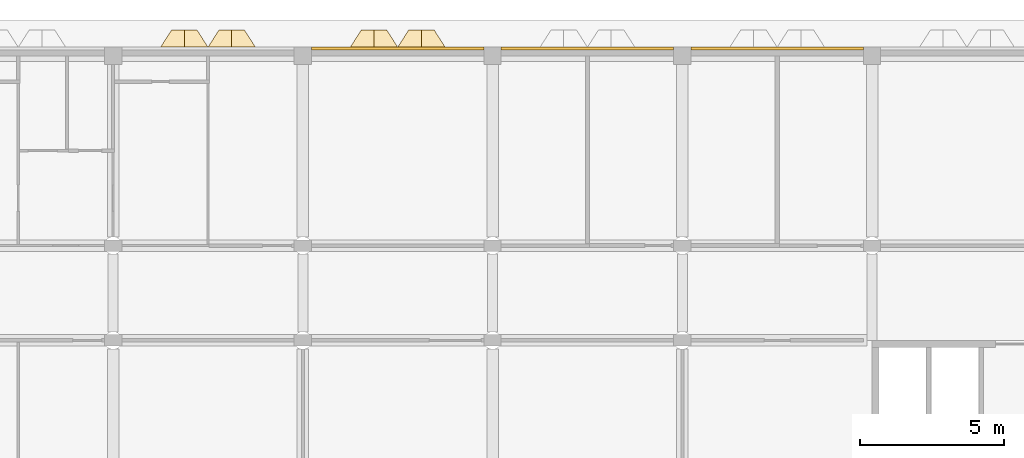
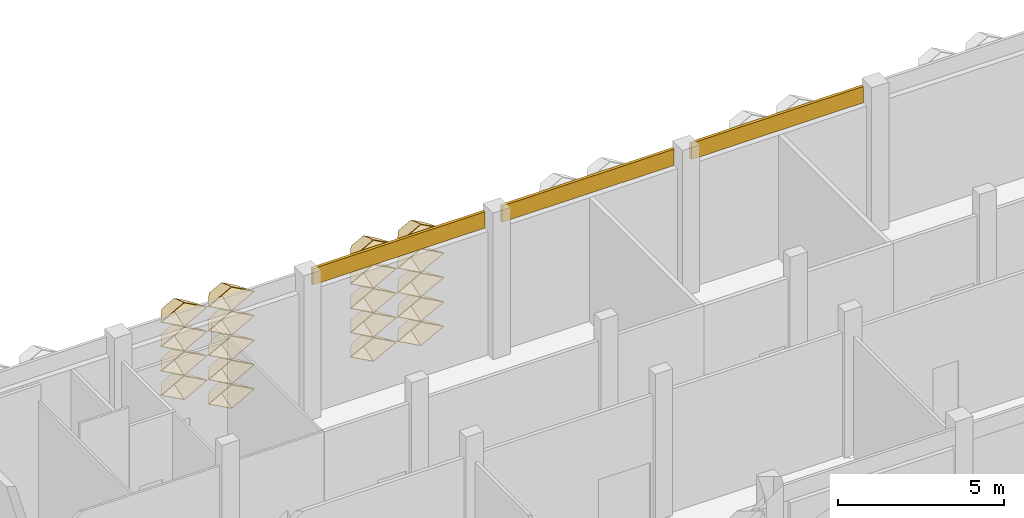
# One storey, part 76 of 85: 22 coverings.
"""IFC4 building model written with IfcOpenShell, lengths in metres."""

import ifcopenshell
import ifcopenshell.guid

model = None  # the IFC model being written
_history = None  # IfcOwnerHistory: only IFC2X3 demands one
_inside = {}  # id of a spatial element -> (the spatial element, [elements in it])
_under = {}  # id of a project, library or spatial element -> (it, [spatial elements below it])
_declared = {}  # id of a project -> (the project, [libraries it declares])
_typed = {}  # id of a type object -> (the type object, [elements of that type])
_made_of = {}  # id of a material, layer set ... -> (it, [elements and type objects made of it])


def new_model(schema):
    """Start an empty IFC model of exactly this schema.

    Asked for "IFC4X3", IfcOpenShell would pick the latest addendum, in which some entities
    have other attributes; the version numbers below select the first issue.
    IFC2X3 requires an IfcOwnerHistory on every rooted entity: one is made here for all.
    """
    global model, _history
    if schema == "IFC4X3":
        model = ifcopenshell.file(schema_version=(4, 3, 0, 0))
    else:
        model = ifcopenshell.file(schema=schema)
    _inside.clear()
    _under.clear()
    _declared.clear()
    _typed.clear()
    _made_of.clear()
    _history = None
    if model.schema == "IFC2X3":
        org = make("IfcOrganization", Name="unknown")
        user = make(
            "IfcPersonAndOrganization",
            ThePerson=make("IfcPerson", FamilyName="unknown"),
            TheOrganization=org,
        )
        app = make(
            "IfcApplication",
            ApplicationDeveloper=org,
            Version="unknown",
            ApplicationFullName="unknown",
            ApplicationIdentifier="unknown",
        )
        _history = make(
            "IfcOwnerHistory",
            OwningUser=user,
            OwningApplication=app,
            ChangeAction="ADDED",
            CreationDate=0,
        )
    return model


def make(cls, **values):
    """One entity of the class cls with the attributes given. An attribute that is None is left unset."""
    return model.create_entity(
        cls, **{name: value for name, value in values.items() if value is not None}
    )


def entity(cls, *values):
    """Any entity or typed value of the class cls, its attributes in the order of the schema. None: left unset."""
    e = model.create_entity(cls)
    for i, value in enumerate(values):
        if value is not None:
            e[i] = value
    return e


def rooted(cls, **values):
    """An entity with a GlobalId (a new one), such as an element, a storey or a relation."""
    return make(cls, GlobalId=ifcopenshell.guid.new(), OwnerHistory=_history, **values)


def si_unit(unit_type, name, prefix=None):
    """IfcSIUnit, for example si_unit("LENGTHUNIT", "METRE", prefix="MILLI")."""
    return make("IfcSIUnit", UnitType=unit_type, Prefix=prefix, Name=name)


def assignment(units):
    """IfcUnitAssignment: the units of a project."""
    return None if units is None else make("IfcUnitAssignment", Units=units)


def point(xyz):
    """IfcCartesianPoint."""
    return None if xyz is None else make("IfcCartesianPoint", Coordinates=xyz)


def direction(xyz):
    """IfcDirection."""
    return None if xyz is None else make("IfcDirection", DirectionRatios=xyz)


def frame(location, z_axis=None, x_axis=None):
    """IfcAxis2Placement3D, a coordinate frame: its origin and axes. An axis left out is left unset."""
    return make(
        "IfcAxis2Placement3D",
        Location=point(location),
        Axis=direction(z_axis),
        RefDirection=direction(x_axis),
    )


def frame_2d(location, x_axis=None):
    """IfcAxis2Placement2D, a coordinate frame in the plane: its origin and x axis."""
    return make(
        "IfcAxis2Placement2D", Location=point(location), RefDirection=direction(x_axis)
    )


def origin():
    """The frame at (0, 0, 0) with its axes left unset."""
    return frame((0.0, 0.0, 0.0))


def place(relative_to, where):
    """IfcLocalPlacement: puts the frame where relative to a parent placement (None: the world)."""
    return make(
        "IfcLocalPlacement", PlacementRelTo=relative_to, RelativePlacement=where
    )


def context(
    kind, dimensions, precision=None, world=None, true_north=None, identifier=None
):
    """IfcGeometricRepresentationContext, for example the 3D "Model" context."""
    return make(
        "IfcGeometricRepresentationContext",
        ContextIdentifier=identifier,
        ContextType=kind,
        CoordinateSpaceDimension=dimensions,
        Precision=precision,
        WorldCoordinateSystem=world,
        TrueNorth=true_north,
    )


def subcontext(parent, identifier, kind, view, scale=None):
    """IfcGeometricRepresentationSubContext, for example "Body" below "Model"."""
    return make(
        "IfcGeometricRepresentationSubContext",
        ContextIdentifier=identifier,
        ContextType=kind,
        ParentContext=parent,
        TargetScale=scale,
        TargetView=view,
    )


def project(units=None, contexts=None):
    """IfcProject with its units and contexts."""
    return rooted(
        "IfcProject",
        Name="project",
        RepresentationContexts=contexts,
        UnitsInContext=assignment(units),
    )


def spatial(cls, under=None, at=None, **own):
    """A site, building, storey or space (cls), placed at a placement, below another one or the project."""
    s = rooted(cls, ObjectPlacement=at, **own)
    if under is not None:
        _under.setdefault(under.id(), (under, []))[1].append(s)
    return s


def profile(cls, at=None, kind="AREA", **sizes):
    """A parametric profile (cls). Its sizes go by their IFC names, for example OverallWidth=200.0."""
    return make(cls, ProfileType=kind, Position=at, **sizes)


def rectangle(**sizes):
    """IfcRectangleProfileDef."""
    return profile("IfcRectangleProfileDef", **sizes)


def extrude(swept, where, along, depth):
    """IfcExtrudedAreaSolid: the profile swept, set in the frame where, extruded along a direction by depth."""
    return make(
        "IfcExtrudedAreaSolid",
        SweptArea=swept,
        Position=where,
        ExtrudedDirection=direction(along),
        Depth=depth,
    )


def shape(context_of_items, identifier, shape_type, items):
    """IfcShapeRepresentation: the items that make up one representation, for example the "Body"."""
    return make(
        "IfcShapeRepresentation",
        ContextOfItems=context_of_items,
        RepresentationIdentifier=identifier,
        RepresentationType=shape_type,
        Items=items,
    )


def material(Name=None, Category=None):
    """IfcMaterial."""
    return make("IfcMaterial", Name=Name, Category=Category)


def layer(
    of_material, thickness, ventilated=None, Name=None, Category=None, Priority=None
):
    """IfcMaterialLayer: one layer of a wall or slab, of a material (None: an air gap)."""
    return make(
        "IfcMaterialLayer",
        Material=of_material,
        LayerThickness=thickness,
        IsVentilated=ventilated,
        Name=Name,
        Category=Category,
        Priority=Priority,
    )


def layer_set(layers, Name=None):
    """IfcMaterialLayerSet."""
    return make("IfcMaterialLayerSet", MaterialLayers=layers, LayerSetName=Name)


def made_of(thing, what):
    """Note that an element or type object is made of a material, layer set ...; save() writes the relation."""
    if what is not None:
        _made_of.setdefault(what.id(), (what, []))[1].append(thing)
    return thing


def type_object(cls, material=None, **own):
    """A type object (cls), such as IfcWallType, which elements share."""
    return made_of(rooted(cls, **own), material)


def element(
    cls,
    number,
    at=None,
    inside=None,
    cuts=None,
    type_object=None,
    material=None,
    context=None,
    identifier="Body",
    shape_type=None,
    held_by="IfcProductDefinitionShape",
    body=None,
    shapes=None,
    **own,
):
    """One element of the class cls, such as IfcWall. Its Tag is "e" and its number.

    at: its placement. inside: the storey or other place that contains it. cuts: it is an
    opening in that element (IfcRelVoidsElement). A single representation is given by context,
    identifier, shape_type and body (its items); several are given by shapes. held_by: the class
    of the entity that holds the representations. save() writes the other relations.
    """
    e = rooted(cls, Tag="e%d" % number, ObjectPlacement=at, **own)
    if body is not None:
        shapes = [shape(context, identifier, shape_type, body)]
    if shapes is not None:
        e.Representation = make(held_by, Representations=shapes)
    if inside is not None:
        _inside.setdefault(inside.id(), (inside, []))[1].append(e)
    if cuts is not None:
        rooted(
            "IfcRelVoidsElement", RelatingBuildingElement=cuts, RelatedOpeningElement=e
        )
    if type_object is not None:
        _typed.setdefault(type_object.id(), (type_object, []))[1].append(e)
    return made_of(e, material)


def aggregate(whole, parts):
    """IfcRelAggregates: a whole, such as a stair, and the parts it consists of."""
    return rooted("IfcRelAggregates", RelatingObject=whole, RelatedObjects=parts)


def save(model, path):
    """Write the relations noted so far, then the file.

    IfcRelAggregates (storeys below a building ...), IfcRelContainedInSpatialStructure (elements
    in a storey), IfcRelDefinesByType, IfcRelAssociatesMaterial and IfcRelDeclares: one each for
    every whole, place, type object, material and project.
    """
    for whole, parts in _under.values():
        aggregate(whole, parts)
    for where, things in _inside.values():
        rooted(
            "IfcRelContainedInSpatialStructure",
            RelatedElements=things,
            RelatingStructure=where,
        )
    for kind, things in _typed.values():
        rooted("IfcRelDefinesByType", RelatedObjects=things, RelatingType=kind)
    for what, things in _made_of.values():
        rooted("IfcRelAssociatesMaterial", RelatedObjects=things, RelatingMaterial=what)
    for by, libraries in _declared.values():
        rooted("IfcRelDeclares", RelatingContext=by, RelatedDefinitions=libraries)
    model.write(path)


model = new_model("IFC4")

# Units and contexts
model_context = context("Model", 3, precision=1e-05, world=origin(), true_north=direction((0.0, 1.0)))
body_context = subcontext(model_context, "Body", "Model", "MODEL_VIEW")
ifc_project = project(units=[si_unit("LENGTHUNIT", "METRE"), si_unit("AREAUNIT", "SQUARE_METRE"), si_unit("VOLUMEUNIT", "CUBIC_METRE"), si_unit("PLANEANGLEUNIT", "RADIAN"), si_unit("MASSUNIT", "GRAM", prefix="KILO")], contexts=[model_context])

# Site, building, storey
site_placement = place(None, origin())
site = spatial("IfcSite", under=ifc_project, at=site_placement, CompositionType="ELEMENT")
building_placement = place(site_placement, origin())
building = spatial("IfcBuilding", under=site, at=building_placement, Name="Lantern Court Research Institute", CompositionType="ELEMENT")
storey_placement = place(building_placement, origin())
storey = spatial("IfcBuildingStorey", under=building, at=storey_placement, Name="L00", CompositionType="ELEMENT", Elevation=0.0)

# Coverings
ifc_material_1 = material(Name="Aluminium composite panel with mineral wool insulation", Category="aluminium")
ifc_layer_1 = layer(ifc_material_1, 0.10009765625)
ifc_layer_set_1 = layer_set([ifc_layer_1], Name="Aluminium composite panel with mineral wool insulation")
covering_type_1 = type_object("IfcCoveringType", Name="Edge fascia panel 100 aluminium faced", PredefinedType="CLADDING", material=ifc_layer_set_1)
for number, where, z_axis, x_axis, name in (
    (1, (20.10009765625, 99.25, 4.550048828125), (0.0, 0.0, 1.0), (1.0, 0.0, 0.0), "Edge fascia V6N L00 03"),
    (2, (26.699951171875, 99.25, 4.550048828125), (0.0, 0.0, 1.0), (1.0, 0.0, 0.0), "Edge fascia V6N L00 04"),
    (3, (33.300048828125, 99.25, 4.550048828125), (0.0, 0.0, 1.0), (1.0, 0.0, 0.0), "Edge fascia V6N L00 05"),
):
    element("IfcCovering", number, at=place(storey_placement, frame(where, z_axis=z_axis, x_axis=x_axis)), inside=storey, type_object=covering_type_1, Name=name, PredefinedType="CLADDING", context=body_context, shape_type="SweptSolid", body=[
        extrude(rectangle(XDim=6.0, YDim=0.10009765625, at=frame_2d((3.0, 0.0))), origin(), (0.0, 0.0, 1.0), 0.599853515625),
    ])
ifc_material_2 = material(Name="Anodised aluminium", Category="aluminium")
ifc_layer_2 = layer(ifc_material_2, 0.01611328125)
ifc_layer_set_2 = layer_set([ifc_layer_2], Name="Anodised aluminium")
covering_type_2 = type_object("IfcCoveringType", Name="Fin cassette 1650 x 900 x 600 aluminium", PredefinedType="CLADDING", material=ifc_layer_set_2)
covering_1_placement = place(storey_placement, frame((17.324951171875, 99.300048828125, 1.35009765625), z_axis=(0.0, 1.0, 0.0), x_axis=(-1.0, 0.0, 0.0)))
cartesian_point_1 = entity("IfcCartesianPoint", [0.824951171875, 0.0])
cartesian_point_2 = entity("IfcCartesianPoint", [0.79150390625, 0.0])
cartesian_point_3 = entity("IfcCartesianPoint", [0.44189453125, 0.0])
cartesian_point_4 = entity("IfcCartesianPoint", [0.43359375, 0.0])
element("IfcCovering", 4, at=covering_1_placement, inside=storey, type_object=covering_type_2, Name="Fin cassette V6N-L00 2.11", PredefinedType="CLADDING", context=body_context, shape_type="SweptSolid", body=[
    entity("IfcExtrudedAreaSolidTapered", entity("IfcArbitraryProfileDefWithVoids", "AREA", None, entity("IfcPolyline", [cartesian_point_1, entity("IfcCartesianPoint", [0.0, 0.449951171875]), entity("IfcCartesianPoint", [-0.824951171875, 0.0]), entity("IfcCartesianPoint", [0.0, -0.449951171875]), cartesian_point_1]), [entity("IfcPolyline", [cartesian_point_2, entity("IfcCartesianPoint", [0.0, 0.431884765625]), entity("IfcCartesianPoint", [-0.79150390625, 0.0]), entity("IfcCartesianPoint", [0.0, -0.431884765625]), cartesian_point_2])]), entity("IfcAxis2Placement3D", entity("IfcCartesianPoint", [0.0, 0.0, 0.0])), entity("IfcDirection", [0.0, 0.0, 1.0]), 0.60009765625, entity("IfcArbitraryProfileDefWithVoids", "AREA", None, entity("IfcPolyline", [cartesian_point_3, entity("IfcCartesianPoint", [0.0, 0.240966796875]), entity("IfcCartesianPoint", [-0.44189453125, 0.0]), entity("IfcCartesianPoint", [0.0, -0.240966796875]), cartesian_point_3]), [entity("IfcPolyline", [cartesian_point_4, entity("IfcCartesianPoint", [0.0, 0.236572265625]), entity("IfcCartesianPoint", [-0.43359375, 0.0]), entity("IfcCartesianPoint", [0.0, -0.236572265625]), cartesian_point_4])])),
])
covering_2_placement = place(storey_placement, frame((22.27490234375, 99.300048828125, 1.35009765625), z_axis=(0.0, 1.0, 0.0), x_axis=(-1.0, 0.0, 0.0)))
cartesian_point_5 = entity("IfcCartesianPoint", [0.824951171875, 0.0])
cartesian_point_6 = entity("IfcCartesianPoint", [0.79150390625, 0.0])
cartesian_point_7 = entity("IfcCartesianPoint", [0.44189453125, 0.0])
cartesian_point_8 = entity("IfcCartesianPoint", [0.43359375, 0.0])
element("IfcCovering", 5, at=covering_2_placement, inside=storey, type_object=covering_type_2, Name="Fin cassette V6N-L00 2.14", PredefinedType="CLADDING", context=body_context, shape_type="SweptSolid", body=[
    entity("IfcExtrudedAreaSolidTapered", entity("IfcArbitraryProfileDefWithVoids", "AREA", None, entity("IfcPolyline", [cartesian_point_5, entity("IfcCartesianPoint", [0.0, 0.449951171875]), entity("IfcCartesianPoint", [-0.824951171875, 0.0]), entity("IfcCartesianPoint", [0.0, -0.449951171875]), cartesian_point_5]), [entity("IfcPolyline", [cartesian_point_6, entity("IfcCartesianPoint", [0.0, 0.431884765625]), entity("IfcCartesianPoint", [-0.79150390625, 0.0]), entity("IfcCartesianPoint", [0.0, -0.431884765625]), cartesian_point_6])]), entity("IfcAxis2Placement3D", entity("IfcCartesianPoint", [0.0, 0.0, 0.0])), entity("IfcDirection", [0.0, 0.0, 1.0]), 0.60009765625, entity("IfcArbitraryProfileDefWithVoids", "AREA", None, entity("IfcPolyline", [cartesian_point_7, entity("IfcCartesianPoint", [0.0, 0.240966796875]), entity("IfcCartesianPoint", [-0.44189453125, 0.0]), entity("IfcCartesianPoint", [0.0, -0.240966796875]), cartesian_point_7]), [entity("IfcPolyline", [cartesian_point_8, entity("IfcCartesianPoint", [0.0, 0.236572265625]), entity("IfcCartesianPoint", [-0.43359375, 0.0]), entity("IfcCartesianPoint", [0.0, -0.236572265625]), cartesian_point_8])])),
])
covering_3_placement = place(storey_placement, frame((23.925048828125, 99.300048828125, 1.35009765625), z_axis=(0.0, 1.0, 0.0), x_axis=(-1.0, 0.0, 0.0)))
cartesian_point_9 = entity("IfcCartesianPoint", [0.824951171875, 0.0])
cartesian_point_10 = entity("IfcCartesianPoint", [0.79150390625, 0.0])
cartesian_point_11 = entity("IfcCartesianPoint", [0.44189453125, 0.0])
cartesian_point_12 = entity("IfcCartesianPoint", [0.43359375, 0.0])
element("IfcCovering", 6, at=covering_3_placement, inside=storey, type_object=covering_type_2, Name="Fin cassette V6N-L00 2.15", PredefinedType="CLADDING", context=body_context, shape_type="SweptSolid", body=[
    entity("IfcExtrudedAreaSolidTapered", entity("IfcArbitraryProfileDefWithVoids", "AREA", None, entity("IfcPolyline", [cartesian_point_9, entity("IfcCartesianPoint", [0.0, 0.449951171875]), entity("IfcCartesianPoint", [-0.824951171875, 0.0]), entity("IfcCartesianPoint", [0.0, -0.449951171875]), cartesian_point_9]), [entity("IfcPolyline", [cartesian_point_10, entity("IfcCartesianPoint", [0.0, 0.431884765625]), entity("IfcCartesianPoint", [-0.79150390625, 0.0]), entity("IfcCartesianPoint", [0.0, -0.431884765625]), cartesian_point_10])]), entity("IfcAxis2Placement3D", entity("IfcCartesianPoint", [0.0, 0.0, 0.0])), entity("IfcDirection", [0.0, 0.0, 1.0]), 0.60009765625, entity("IfcArbitraryProfileDefWithVoids", "AREA", None, entity("IfcPolyline", [cartesian_point_11, entity("IfcCartesianPoint", [0.0, 0.240966796875]), entity("IfcCartesianPoint", [-0.44189453125, 0.0]), entity("IfcCartesianPoint", [0.0, -0.240966796875]), cartesian_point_11]), [entity("IfcPolyline", [cartesian_point_12, entity("IfcCartesianPoint", [0.0, 0.236572265625]), entity("IfcCartesianPoint", [-0.43359375, 0.0]), entity("IfcCartesianPoint", [0.0, -0.236572265625]), cartesian_point_12])])),
])
covering_4_placement = place(storey_placement, frame((15.675048828125, 99.300048828125, 2.25), z_axis=(0.0, 1.0, 0.0), x_axis=(-1.0, 0.0, 0.0)))
cartesian_point_13 = entity("IfcCartesianPoint", [0.824951171875, 0.0])
cartesian_point_14 = entity("IfcCartesianPoint", [0.79150390625, 0.0])
cartesian_point_15 = entity("IfcCartesianPoint", [0.44189453125, 0.0])
cartesian_point_16 = entity("IfcCartesianPoint", [0.43359375, 0.0])
element("IfcCovering", 7, at=covering_4_placement, inside=storey, type_object=covering_type_2, Name="Fin cassette V6N-L00 3.10", PredefinedType="CLADDING", context=body_context, shape_type="SweptSolid", body=[
    entity("IfcExtrudedAreaSolidTapered", entity("IfcArbitraryProfileDefWithVoids", "AREA", None, entity("IfcPolyline", [cartesian_point_13, entity("IfcCartesianPoint", [0.0, 0.449951171875]), entity("IfcCartesianPoint", [-0.824951171875, 0.0]), entity("IfcCartesianPoint", [0.0, -0.449951171875]), cartesian_point_13]), [entity("IfcPolyline", [cartesian_point_14, entity("IfcCartesianPoint", [0.0, 0.431884765625]), entity("IfcCartesianPoint", [-0.79150390625, 0.0]), entity("IfcCartesianPoint", [0.0, -0.431884765625]), cartesian_point_14])]), entity("IfcAxis2Placement3D", entity("IfcCartesianPoint", [0.0, 0.0, 0.0])), entity("IfcDirection", [0.0, 0.0, 1.0]), 0.60009765625, entity("IfcArbitraryProfileDefWithVoids", "AREA", None, entity("IfcPolyline", [cartesian_point_15, entity("IfcCartesianPoint", [0.0, 0.240966796875]), entity("IfcCartesianPoint", [-0.44189453125, 0.0]), entity("IfcCartesianPoint", [0.0, -0.240966796875]), cartesian_point_15]), [entity("IfcPolyline", [cartesian_point_16, entity("IfcCartesianPoint", [0.0, 0.236572265625]), entity("IfcCartesianPoint", [-0.43359375, 0.0]), entity("IfcCartesianPoint", [0.0, -0.236572265625]), cartesian_point_16])])),
])
covering_5_placement = place(storey_placement, frame((17.324951171875, 99.300048828125, 2.25), z_axis=(0.0, 1.0, 0.0), x_axis=(-1.0, 0.0, 0.0)))
cartesian_point_17 = entity("IfcCartesianPoint", [0.824951171875, 0.0])
cartesian_point_18 = entity("IfcCartesianPoint", [0.79150390625, 0.0])
cartesian_point_19 = entity("IfcCartesianPoint", [0.44189453125, 0.0])
cartesian_point_20 = entity("IfcCartesianPoint", [0.43359375, 0.0])
element("IfcCovering", 8, at=covering_5_placement, inside=storey, type_object=covering_type_2, Name="Fin cassette V6N-L00 3.11", PredefinedType="CLADDING", context=body_context, shape_type="SweptSolid", body=[
    entity("IfcExtrudedAreaSolidTapered", entity("IfcArbitraryProfileDefWithVoids", "AREA", None, entity("IfcPolyline", [cartesian_point_17, entity("IfcCartesianPoint", [0.0, 0.449951171875]), entity("IfcCartesianPoint", [-0.824951171875, 0.0]), entity("IfcCartesianPoint", [0.0, -0.449951171875]), cartesian_point_17]), [entity("IfcPolyline", [cartesian_point_18, entity("IfcCartesianPoint", [0.0, 0.431884765625]), entity("IfcCartesianPoint", [-0.79150390625, 0.0]), entity("IfcCartesianPoint", [0.0, -0.431884765625]), cartesian_point_18])]), entity("IfcAxis2Placement3D", entity("IfcCartesianPoint", [0.0, 0.0, 0.0])), entity("IfcDirection", [0.0, 0.0, 1.0]), 0.60009765625, entity("IfcArbitraryProfileDefWithVoids", "AREA", None, entity("IfcPolyline", [cartesian_point_19, entity("IfcCartesianPoint", [0.0, 0.240966796875]), entity("IfcCartesianPoint", [-0.44189453125, 0.0]), entity("IfcCartesianPoint", [0.0, -0.240966796875]), cartesian_point_19]), [entity("IfcPolyline", [cartesian_point_20, entity("IfcCartesianPoint", [0.0, 0.236572265625]), entity("IfcCartesianPoint", [-0.43359375, 0.0]), entity("IfcCartesianPoint", [0.0, -0.236572265625]), cartesian_point_20])])),
])
covering_6_placement = place(storey_placement, frame((22.27490234375, 99.300048828125, 2.25), z_axis=(0.0, 1.0, 0.0), x_axis=(-1.0, 0.0, 0.0)))
cartesian_point_21 = entity("IfcCartesianPoint", [0.824951171875, 0.0])
cartesian_point_22 = entity("IfcCartesianPoint", [0.79150390625, 0.0])
cartesian_point_23 = entity("IfcCartesianPoint", [0.44189453125, 0.0])
cartesian_point_24 = entity("IfcCartesianPoint", [0.43359375, 0.0])
element("IfcCovering", 9, at=covering_6_placement, inside=storey, type_object=covering_type_2, Name="Fin cassette V6N-L00 3.14", PredefinedType="CLADDING", context=body_context, shape_type="SweptSolid", body=[
    entity("IfcExtrudedAreaSolidTapered", entity("IfcArbitraryProfileDefWithVoids", "AREA", None, entity("IfcPolyline", [cartesian_point_21, entity("IfcCartesianPoint", [0.0, 0.449951171875]), entity("IfcCartesianPoint", [-0.824951171875, 0.0]), entity("IfcCartesianPoint", [0.0, -0.449951171875]), cartesian_point_21]), [entity("IfcPolyline", [cartesian_point_22, entity("IfcCartesianPoint", [0.0, 0.431884765625]), entity("IfcCartesianPoint", [-0.79150390625, 0.0]), entity("IfcCartesianPoint", [0.0, -0.431884765625]), cartesian_point_22])]), entity("IfcAxis2Placement3D", entity("IfcCartesianPoint", [0.0, 0.0, 0.0])), entity("IfcDirection", [0.0, 0.0, 1.0]), 0.60009765625, entity("IfcArbitraryProfileDefWithVoids", "AREA", None, entity("IfcPolyline", [cartesian_point_23, entity("IfcCartesianPoint", [0.0, 0.240966796875]), entity("IfcCartesianPoint", [-0.44189453125, 0.0]), entity("IfcCartesianPoint", [0.0, -0.240966796875]), cartesian_point_23]), [entity("IfcPolyline", [cartesian_point_24, entity("IfcCartesianPoint", [0.0, 0.236572265625]), entity("IfcCartesianPoint", [-0.43359375, 0.0]), entity("IfcCartesianPoint", [0.0, -0.236572265625]), cartesian_point_24])])),
])
covering_7_placement = place(storey_placement, frame((23.925048828125, 99.300048828125, 2.25), z_axis=(0.0, 1.0, 0.0), x_axis=(-1.0, 0.0, 0.0)))
cartesian_point_25 = entity("IfcCartesianPoint", [0.824951171875, 0.0])
cartesian_point_26 = entity("IfcCartesianPoint", [0.79150390625, 0.0])
cartesian_point_27 = entity("IfcCartesianPoint", [0.44189453125, 0.0])
cartesian_point_28 = entity("IfcCartesianPoint", [0.43359375, 0.0])
element("IfcCovering", 10, at=covering_7_placement, inside=storey, type_object=covering_type_2, Name="Fin cassette V6N-L00 3.15", PredefinedType="CLADDING", context=body_context, shape_type="SweptSolid", body=[
    entity("IfcExtrudedAreaSolidTapered", entity("IfcArbitraryProfileDefWithVoids", "AREA", None, entity("IfcPolyline", [cartesian_point_25, entity("IfcCartesianPoint", [0.0, 0.449951171875]), entity("IfcCartesianPoint", [-0.824951171875, 0.0]), entity("IfcCartesianPoint", [0.0, -0.449951171875]), cartesian_point_25]), [entity("IfcPolyline", [cartesian_point_26, entity("IfcCartesianPoint", [0.0, 0.431884765625]), entity("IfcCartesianPoint", [-0.79150390625, 0.0]), entity("IfcCartesianPoint", [0.0, -0.431884765625]), cartesian_point_26])]), entity("IfcAxis2Placement3D", entity("IfcCartesianPoint", [0.0, 0.0, 0.0])), entity("IfcDirection", [0.0, 0.0, 1.0]), 0.60009765625, entity("IfcArbitraryProfileDefWithVoids", "AREA", None, entity("IfcPolyline", [cartesian_point_27, entity("IfcCartesianPoint", [0.0, 0.240966796875]), entity("IfcCartesianPoint", [-0.44189453125, 0.0]), entity("IfcCartesianPoint", [0.0, -0.240966796875]), cartesian_point_27]), [entity("IfcPolyline", [cartesian_point_28, entity("IfcCartesianPoint", [0.0, 0.236572265625]), entity("IfcCartesianPoint", [-0.43359375, 0.0]), entity("IfcCartesianPoint", [0.0, -0.236572265625]), cartesian_point_28])])),
])
covering_8_placement = place(storey_placement, frame((15.675048828125, 99.300048828125, 3.14990234375), z_axis=(0.0, 1.0, 0.0), x_axis=(-1.0, 0.0, 0.0)))
cartesian_point_29 = entity("IfcCartesianPoint", [0.824951171875, 0.0])
cartesian_point_30 = entity("IfcCartesianPoint", [0.79150390625, 0.0])
cartesian_point_31 = entity("IfcCartesianPoint", [0.44189453125, 0.0])
cartesian_point_32 = entity("IfcCartesianPoint", [0.43359375, 0.0])
element("IfcCovering", 11, at=covering_8_placement, inside=storey, type_object=covering_type_2, Name="Fin cassette V6N-L00 4.10", PredefinedType="CLADDING", context=body_context, shape_type="SweptSolid", body=[
    entity("IfcExtrudedAreaSolidTapered", entity("IfcArbitraryProfileDefWithVoids", "AREA", None, entity("IfcPolyline", [cartesian_point_29, entity("IfcCartesianPoint", [0.0, 0.449951171875]), entity("IfcCartesianPoint", [-0.824951171875, 0.0]), entity("IfcCartesianPoint", [0.0, -0.449951171875]), cartesian_point_29]), [entity("IfcPolyline", [cartesian_point_30, entity("IfcCartesianPoint", [0.0, 0.431884765625]), entity("IfcCartesianPoint", [-0.79150390625, 0.0]), entity("IfcCartesianPoint", [0.0, -0.431884765625]), cartesian_point_30])]), entity("IfcAxis2Placement3D", entity("IfcCartesianPoint", [0.0, 0.0, 0.0])), entity("IfcDirection", [0.0, 0.0, 1.0]), 0.60009765625, entity("IfcArbitraryProfileDefWithVoids", "AREA", None, entity("IfcPolyline", [cartesian_point_31, entity("IfcCartesianPoint", [0.0, 0.240966796875]), entity("IfcCartesianPoint", [-0.44189453125, 0.0]), entity("IfcCartesianPoint", [0.0, -0.240966796875]), cartesian_point_31]), [entity("IfcPolyline", [cartesian_point_32, entity("IfcCartesianPoint", [0.0, 0.236572265625]), entity("IfcCartesianPoint", [-0.43359375, 0.0]), entity("IfcCartesianPoint", [0.0, -0.236572265625]), cartesian_point_32])])),
])
covering_9_placement = place(storey_placement, frame((17.324951171875, 99.300048828125, 3.14990234375), z_axis=(0.0, 1.0, 0.0), x_axis=(-1.0, 0.0, 0.0)))
cartesian_point_33 = entity("IfcCartesianPoint", [0.824951171875, 0.0])
cartesian_point_34 = entity("IfcCartesianPoint", [0.79150390625, 0.0])
cartesian_point_35 = entity("IfcCartesianPoint", [0.44189453125, 0.0])
cartesian_point_36 = entity("IfcCartesianPoint", [0.43359375, 0.0])
element("IfcCovering", 12, at=covering_9_placement, inside=storey, type_object=covering_type_2, Name="Fin cassette V6N-L00 4.11", PredefinedType="CLADDING", context=body_context, shape_type="SweptSolid", body=[
    entity("IfcExtrudedAreaSolidTapered", entity("IfcArbitraryProfileDefWithVoids", "AREA", None, entity("IfcPolyline", [cartesian_point_33, entity("IfcCartesianPoint", [0.0, 0.449951171875]), entity("IfcCartesianPoint", [-0.824951171875, 0.0]), entity("IfcCartesianPoint", [0.0, -0.449951171875]), cartesian_point_33]), [entity("IfcPolyline", [cartesian_point_34, entity("IfcCartesianPoint", [0.0, 0.431884765625]), entity("IfcCartesianPoint", [-0.79150390625, 0.0]), entity("IfcCartesianPoint", [0.0, -0.431884765625]), cartesian_point_34])]), entity("IfcAxis2Placement3D", entity("IfcCartesianPoint", [0.0, 0.0, 0.0])), entity("IfcDirection", [0.0, 0.0, 1.0]), 0.60009765625, entity("IfcArbitraryProfileDefWithVoids", "AREA", None, entity("IfcPolyline", [cartesian_point_35, entity("IfcCartesianPoint", [0.0, 0.240966796875]), entity("IfcCartesianPoint", [-0.44189453125, 0.0]), entity("IfcCartesianPoint", [0.0, -0.240966796875]), cartesian_point_35]), [entity("IfcPolyline", [cartesian_point_36, entity("IfcCartesianPoint", [0.0, 0.236572265625]), entity("IfcCartesianPoint", [-0.43359375, 0.0]), entity("IfcCartesianPoint", [0.0, -0.236572265625]), cartesian_point_36])])),
])
covering_10_placement = place(storey_placement, frame((22.27490234375, 99.300048828125, 3.14990234375), z_axis=(0.0, 1.0, 0.0), x_axis=(-1.0, 0.0, 0.0)))
cartesian_point_37 = entity("IfcCartesianPoint", [0.824951171875, 0.0])
cartesian_point_38 = entity("IfcCartesianPoint", [0.79150390625, 0.0])
cartesian_point_39 = entity("IfcCartesianPoint", [0.44189453125, 0.0])
cartesian_point_40 = entity("IfcCartesianPoint", [0.43359375, 0.0])
element("IfcCovering", 13, at=covering_10_placement, inside=storey, type_object=covering_type_2, Name="Fin cassette V6N-L00 4.14", PredefinedType="CLADDING", context=body_context, shape_type="SweptSolid", body=[
    entity("IfcExtrudedAreaSolidTapered", entity("IfcArbitraryProfileDefWithVoids", "AREA", None, entity("IfcPolyline", [cartesian_point_37, entity("IfcCartesianPoint", [0.0, 0.449951171875]), entity("IfcCartesianPoint", [-0.824951171875, 0.0]), entity("IfcCartesianPoint", [0.0, -0.449951171875]), cartesian_point_37]), [entity("IfcPolyline", [cartesian_point_38, entity("IfcCartesianPoint", [0.0, 0.431884765625]), entity("IfcCartesianPoint", [-0.79150390625, 0.0]), entity("IfcCartesianPoint", [0.0, -0.431884765625]), cartesian_point_38])]), entity("IfcAxis2Placement3D", entity("IfcCartesianPoint", [0.0, 0.0, 0.0])), entity("IfcDirection", [0.0, 0.0, 1.0]), 0.60009765625, entity("IfcArbitraryProfileDefWithVoids", "AREA", None, entity("IfcPolyline", [cartesian_point_39, entity("IfcCartesianPoint", [0.0, 0.240966796875]), entity("IfcCartesianPoint", [-0.44189453125, 0.0]), entity("IfcCartesianPoint", [0.0, -0.240966796875]), cartesian_point_39]), [entity("IfcPolyline", [cartesian_point_40, entity("IfcCartesianPoint", [0.0, 0.236572265625]), entity("IfcCartesianPoint", [-0.43359375, 0.0]), entity("IfcCartesianPoint", [0.0, -0.236572265625]), cartesian_point_40])])),
])
covering_11_placement = place(storey_placement, frame((23.925048828125, 99.300048828125, 3.14990234375), z_axis=(0.0, 1.0, 0.0), x_axis=(-1.0, 0.0, 0.0)))
cartesian_point_41 = entity("IfcCartesianPoint", [0.824951171875, 0.0])
cartesian_point_42 = entity("IfcCartesianPoint", [0.79150390625, 0.0])
cartesian_point_43 = entity("IfcCartesianPoint", [0.44189453125, 0.0])
cartesian_point_44 = entity("IfcCartesianPoint", [0.43359375, 0.0])
element("IfcCovering", 14, at=covering_11_placement, inside=storey, type_object=covering_type_2, Name="Fin cassette V6N-L00 4.15", PredefinedType="CLADDING", context=body_context, shape_type="SweptSolid", body=[
    entity("IfcExtrudedAreaSolidTapered", entity("IfcArbitraryProfileDefWithVoids", "AREA", None, entity("IfcPolyline", [cartesian_point_41, entity("IfcCartesianPoint", [0.0, 0.449951171875]), entity("IfcCartesianPoint", [-0.824951171875, 0.0]), entity("IfcCartesianPoint", [0.0, -0.449951171875]), cartesian_point_41]), [entity("IfcPolyline", [cartesian_point_42, entity("IfcCartesianPoint", [0.0, 0.431884765625]), entity("IfcCartesianPoint", [-0.79150390625, 0.0]), entity("IfcCartesianPoint", [0.0, -0.431884765625]), cartesian_point_42])]), entity("IfcAxis2Placement3D", entity("IfcCartesianPoint", [0.0, 0.0, 0.0])), entity("IfcDirection", [0.0, 0.0, 1.0]), 0.60009765625, entity("IfcArbitraryProfileDefWithVoids", "AREA", None, entity("IfcPolyline", [cartesian_point_43, entity("IfcCartesianPoint", [0.0, 0.240966796875]), entity("IfcCartesianPoint", [-0.44189453125, 0.0]), entity("IfcCartesianPoint", [0.0, -0.240966796875]), cartesian_point_43]), [entity("IfcPolyline", [cartesian_point_44, entity("IfcCartesianPoint", [0.0, 0.236572265625]), entity("IfcCartesianPoint", [-0.43359375, 0.0]), entity("IfcCartesianPoint", [0.0, -0.236572265625]), cartesian_point_44])])),
])
covering_12_placement = place(storey_placement, frame((15.675048828125, 99.300048828125, 4.050048828125), z_axis=(0.0, 1.0, 0.0), x_axis=(-1.0, 0.0, 0.0)))
cartesian_point_45 = entity("IfcCartesianPoint", [0.824951171875, 0.0])
cartesian_point_46 = entity("IfcCartesianPoint", [0.79150390625, 0.0])
cartesian_point_47 = entity("IfcCartesianPoint", [0.44189453125, 0.0])
cartesian_point_48 = entity("IfcCartesianPoint", [0.43359375, 0.0])
element("IfcCovering", 15, at=covering_12_placement, inside=storey, type_object=covering_type_2, Name="Fin cassette V6N-L00 5.10", PredefinedType="CLADDING", context=body_context, shape_type="SweptSolid", body=[
    entity("IfcExtrudedAreaSolidTapered", entity("IfcArbitraryProfileDefWithVoids", "AREA", None, entity("IfcPolyline", [cartesian_point_45, entity("IfcCartesianPoint", [0.0, 0.449951171875]), entity("IfcCartesianPoint", [-0.824951171875, 0.0]), entity("IfcCartesianPoint", [0.0, -0.449951171875]), cartesian_point_45]), [entity("IfcPolyline", [cartesian_point_46, entity("IfcCartesianPoint", [0.0, 0.431884765625]), entity("IfcCartesianPoint", [-0.79150390625, 0.0]), entity("IfcCartesianPoint", [0.0, -0.431884765625]), cartesian_point_46])]), entity("IfcAxis2Placement3D", entity("IfcCartesianPoint", [0.0, 0.0, 0.0])), entity("IfcDirection", [0.0, 0.0, 1.0]), 0.60009765625, entity("IfcArbitraryProfileDefWithVoids", "AREA", None, entity("IfcPolyline", [cartesian_point_47, entity("IfcCartesianPoint", [0.0, 0.240966796875]), entity("IfcCartesianPoint", [-0.44189453125, 0.0]), entity("IfcCartesianPoint", [0.0, -0.240966796875]), cartesian_point_47]), [entity("IfcPolyline", [cartesian_point_48, entity("IfcCartesianPoint", [0.0, 0.236572265625]), entity("IfcCartesianPoint", [-0.43359375, 0.0]), entity("IfcCartesianPoint", [0.0, -0.236572265625]), cartesian_point_48])])),
])
covering_13_placement = place(storey_placement, frame((17.324951171875, 99.300048828125, 4.050048828125), z_axis=(0.0, 1.0, 0.0), x_axis=(-1.0, 0.0, 0.0)))
cartesian_point_49 = entity("IfcCartesianPoint", [0.824951171875, 0.0])
cartesian_point_50 = entity("IfcCartesianPoint", [0.79150390625, 0.0])
cartesian_point_51 = entity("IfcCartesianPoint", [0.44189453125, 0.0])
cartesian_point_52 = entity("IfcCartesianPoint", [0.43359375, 0.0])
element("IfcCovering", 16, at=covering_13_placement, inside=storey, type_object=covering_type_2, Name="Fin cassette V6N-L00 5.11", PredefinedType="CLADDING", context=body_context, shape_type="SweptSolid", body=[
    entity("IfcExtrudedAreaSolidTapered", entity("IfcArbitraryProfileDefWithVoids", "AREA", None, entity("IfcPolyline", [cartesian_point_49, entity("IfcCartesianPoint", [0.0, 0.449951171875]), entity("IfcCartesianPoint", [-0.824951171875, 0.0]), entity("IfcCartesianPoint", [0.0, -0.449951171875]), cartesian_point_49]), [entity("IfcPolyline", [cartesian_point_50, entity("IfcCartesianPoint", [0.0, 0.431884765625]), entity("IfcCartesianPoint", [-0.79150390625, 0.0]), entity("IfcCartesianPoint", [0.0, -0.431884765625]), cartesian_point_50])]), entity("IfcAxis2Placement3D", entity("IfcCartesianPoint", [0.0, 0.0, 0.0])), entity("IfcDirection", [0.0, 0.0, 1.0]), 0.60009765625, entity("IfcArbitraryProfileDefWithVoids", "AREA", None, entity("IfcPolyline", [cartesian_point_51, entity("IfcCartesianPoint", [0.0, 0.240966796875]), entity("IfcCartesianPoint", [-0.44189453125, 0.0]), entity("IfcCartesianPoint", [0.0, -0.240966796875]), cartesian_point_51]), [entity("IfcPolyline", [cartesian_point_52, entity("IfcCartesianPoint", [0.0, 0.236572265625]), entity("IfcCartesianPoint", [-0.43359375, 0.0]), entity("IfcCartesianPoint", [0.0, -0.236572265625]), cartesian_point_52])])),
])
covering_14_placement = place(storey_placement, frame((22.27490234375, 99.300048828125, 4.050048828125), z_axis=(0.0, 1.0, 0.0), x_axis=(-1.0, 0.0, 0.0)))
cartesian_point_53 = entity("IfcCartesianPoint", [0.824951171875, 0.0])
cartesian_point_54 = entity("IfcCartesianPoint", [0.79150390625, 0.0])
cartesian_point_55 = entity("IfcCartesianPoint", [0.44189453125, 0.0])
cartesian_point_56 = entity("IfcCartesianPoint", [0.43359375, 0.0])
element("IfcCovering", 17, at=covering_14_placement, inside=storey, type_object=covering_type_2, Name="Fin cassette V6N-L00 5.14", PredefinedType="CLADDING", context=body_context, shape_type="SweptSolid", body=[
    entity("IfcExtrudedAreaSolidTapered", entity("IfcArbitraryProfileDefWithVoids", "AREA", None, entity("IfcPolyline", [cartesian_point_53, entity("IfcCartesianPoint", [0.0, 0.449951171875]), entity("IfcCartesianPoint", [-0.824951171875, 0.0]), entity("IfcCartesianPoint", [0.0, -0.449951171875]), cartesian_point_53]), [entity("IfcPolyline", [cartesian_point_54, entity("IfcCartesianPoint", [0.0, 0.431884765625]), entity("IfcCartesianPoint", [-0.79150390625, 0.0]), entity("IfcCartesianPoint", [0.0, -0.431884765625]), cartesian_point_54])]), entity("IfcAxis2Placement3D", entity("IfcCartesianPoint", [0.0, 0.0, 0.0])), entity("IfcDirection", [0.0, 0.0, 1.0]), 0.60009765625, entity("IfcArbitraryProfileDefWithVoids", "AREA", None, entity("IfcPolyline", [cartesian_point_55, entity("IfcCartesianPoint", [0.0, 0.240966796875]), entity("IfcCartesianPoint", [-0.44189453125, 0.0]), entity("IfcCartesianPoint", [0.0, -0.240966796875]), cartesian_point_55]), [entity("IfcPolyline", [cartesian_point_56, entity("IfcCartesianPoint", [0.0, 0.236572265625]), entity("IfcCartesianPoint", [-0.43359375, 0.0]), entity("IfcCartesianPoint", [0.0, -0.236572265625]), cartesian_point_56])])),
])
covering_15_placement = place(storey_placement, frame((23.925048828125, 99.300048828125, 4.050048828125), z_axis=(0.0, 1.0, 0.0), x_axis=(-1.0, 0.0, 0.0)))
cartesian_point_57 = entity("IfcCartesianPoint", [0.824951171875, 0.0])
cartesian_point_58 = entity("IfcCartesianPoint", [0.79150390625, 0.0])
cartesian_point_59 = entity("IfcCartesianPoint", [0.44189453125, 0.0])
cartesian_point_60 = entity("IfcCartesianPoint", [0.43359375, 0.0])
element("IfcCovering", 18, at=covering_15_placement, inside=storey, type_object=covering_type_2, Name="Fin cassette V6N-L00 5.15", PredefinedType="CLADDING", context=body_context, shape_type="SweptSolid", body=[
    entity("IfcExtrudedAreaSolidTapered", entity("IfcArbitraryProfileDefWithVoids", "AREA", None, entity("IfcPolyline", [cartesian_point_57, entity("IfcCartesianPoint", [0.0, 0.449951171875]), entity("IfcCartesianPoint", [-0.824951171875, 0.0]), entity("IfcCartesianPoint", [0.0, -0.449951171875]), cartesian_point_57]), [entity("IfcPolyline", [cartesian_point_58, entity("IfcCartesianPoint", [0.0, 0.431884765625]), entity("IfcCartesianPoint", [-0.79150390625, 0.0]), entity("IfcCartesianPoint", [0.0, -0.431884765625]), cartesian_point_58])]), entity("IfcAxis2Placement3D", entity("IfcCartesianPoint", [0.0, 0.0, 0.0])), entity("IfcDirection", [0.0, 0.0, 1.0]), 0.60009765625, entity("IfcArbitraryProfileDefWithVoids", "AREA", None, entity("IfcPolyline", [cartesian_point_59, entity("IfcCartesianPoint", [0.0, 0.240966796875]), entity("IfcCartesianPoint", [-0.44189453125, 0.0]), entity("IfcCartesianPoint", [0.0, -0.240966796875]), cartesian_point_59]), [entity("IfcPolyline", [cartesian_point_60, entity("IfcCartesianPoint", [0.0, 0.236572265625]), entity("IfcCartesianPoint", [-0.43359375, 0.0]), entity("IfcCartesianPoint", [0.0, -0.236572265625]), cartesian_point_60])])),
])
covering_16_placement = place(storey_placement, frame((15.675048828125, 99.300048828125, 4.949951171875), z_axis=(0.0, 1.0, 0.0), x_axis=(-1.0, 0.0, 0.0)))
cartesian_point_61 = entity("IfcCartesianPoint", [0.824951171875, 0.0])
cartesian_point_62 = entity("IfcCartesianPoint", [0.79150390625, 0.0])
cartesian_point_63 = entity("IfcCartesianPoint", [0.44189453125, 0.0])
cartesian_point_64 = entity("IfcCartesianPoint", [0.43359375, 0.0])
element("IfcCovering", 19, at=covering_16_placement, inside=storey, type_object=covering_type_2, Name="Fin cassette V6N-L00 6.10", PredefinedType="CLADDING", context=body_context, shape_type="SweptSolid", body=[
    entity("IfcExtrudedAreaSolidTapered", entity("IfcArbitraryProfileDefWithVoids", "AREA", None, entity("IfcPolyline", [cartesian_point_61, entity("IfcCartesianPoint", [0.0, 0.449951171875]), entity("IfcCartesianPoint", [-0.824951171875, 0.0]), entity("IfcCartesianPoint", [0.0, -0.449951171875]), cartesian_point_61]), [entity("IfcPolyline", [cartesian_point_62, entity("IfcCartesianPoint", [0.0, 0.431884765625]), entity("IfcCartesianPoint", [-0.79150390625, 0.0]), entity("IfcCartesianPoint", [0.0, -0.431884765625]), cartesian_point_62])]), entity("IfcAxis2Placement3D", entity("IfcCartesianPoint", [0.0, 0.0, 0.0])), entity("IfcDirection", [0.0, 0.0, 1.0]), 0.60009765625, entity("IfcArbitraryProfileDefWithVoids", "AREA", None, entity("IfcPolyline", [cartesian_point_63, entity("IfcCartesianPoint", [0.0, 0.240966796875]), entity("IfcCartesianPoint", [-0.44189453125, 0.0]), entity("IfcCartesianPoint", [0.0, -0.240966796875]), cartesian_point_63]), [entity("IfcPolyline", [cartesian_point_64, entity("IfcCartesianPoint", [0.0, 0.236572265625]), entity("IfcCartesianPoint", [-0.43359375, 0.0]), entity("IfcCartesianPoint", [0.0, -0.236572265625]), cartesian_point_64])])),
])
covering_17_placement = place(storey_placement, frame((17.324951171875, 99.300048828125, 4.949951171875), z_axis=(0.0, 1.0, 0.0), x_axis=(-1.0, 0.0, 0.0)))
cartesian_point_65 = entity("IfcCartesianPoint", [0.824951171875, 0.0])
cartesian_point_66 = entity("IfcCartesianPoint", [0.79150390625, 0.0])
cartesian_point_67 = entity("IfcCartesianPoint", [0.44189453125, 0.0])
cartesian_point_68 = entity("IfcCartesianPoint", [0.43359375, 0.0])
element("IfcCovering", 20, at=covering_17_placement, inside=storey, type_object=covering_type_2, Name="Fin cassette V6N-L00 6.11", PredefinedType="CLADDING", context=body_context, shape_type="SweptSolid", body=[
    entity("IfcExtrudedAreaSolidTapered", entity("IfcArbitraryProfileDefWithVoids", "AREA", None, entity("IfcPolyline", [cartesian_point_65, entity("IfcCartesianPoint", [0.0, 0.449951171875]), entity("IfcCartesianPoint", [-0.824951171875, 0.0]), entity("IfcCartesianPoint", [0.0, -0.449951171875]), cartesian_point_65]), [entity("IfcPolyline", [cartesian_point_66, entity("IfcCartesianPoint", [0.0, 0.431884765625]), entity("IfcCartesianPoint", [-0.79150390625, 0.0]), entity("IfcCartesianPoint", [0.0, -0.431884765625]), cartesian_point_66])]), entity("IfcAxis2Placement3D", entity("IfcCartesianPoint", [0.0, 0.0, 0.0])), entity("IfcDirection", [0.0, 0.0, 1.0]), 0.60009765625, entity("IfcArbitraryProfileDefWithVoids", "AREA", None, entity("IfcPolyline", [cartesian_point_67, entity("IfcCartesianPoint", [0.0, 0.240966796875]), entity("IfcCartesianPoint", [-0.44189453125, 0.0]), entity("IfcCartesianPoint", [0.0, -0.240966796875]), cartesian_point_67]), [entity("IfcPolyline", [cartesian_point_68, entity("IfcCartesianPoint", [0.0, 0.236572265625]), entity("IfcCartesianPoint", [-0.43359375, 0.0]), entity("IfcCartesianPoint", [0.0, -0.236572265625]), cartesian_point_68])])),
])
covering_18_placement = place(storey_placement, frame((22.27490234375, 99.300048828125, 4.949951171875), z_axis=(0.0, 1.0, 0.0), x_axis=(-1.0, 0.0, 0.0)))
cartesian_point_69 = entity("IfcCartesianPoint", [0.824951171875, 0.0])
cartesian_point_70 = entity("IfcCartesianPoint", [0.79150390625, 0.0])
cartesian_point_71 = entity("IfcCartesianPoint", [0.44189453125, 0.0])
cartesian_point_72 = entity("IfcCartesianPoint", [0.43359375, 0.0])
element("IfcCovering", 21, at=covering_18_placement, inside=storey, type_object=covering_type_2, Name="Fin cassette V6N-L00 6.14", PredefinedType="CLADDING", context=body_context, shape_type="SweptSolid", body=[
    entity("IfcExtrudedAreaSolidTapered", entity("IfcArbitraryProfileDefWithVoids", "AREA", None, entity("IfcPolyline", [cartesian_point_69, entity("IfcCartesianPoint", [0.0, 0.449951171875]), entity("IfcCartesianPoint", [-0.824951171875, 0.0]), entity("IfcCartesianPoint", [0.0, -0.449951171875]), cartesian_point_69]), [entity("IfcPolyline", [cartesian_point_70, entity("IfcCartesianPoint", [0.0, 0.431884765625]), entity("IfcCartesianPoint", [-0.79150390625, 0.0]), entity("IfcCartesianPoint", [0.0, -0.431884765625]), cartesian_point_70])]), entity("IfcAxis2Placement3D", entity("IfcCartesianPoint", [0.0, 0.0, 0.0])), entity("IfcDirection", [0.0, 0.0, 1.0]), 0.60009765625, entity("IfcArbitraryProfileDefWithVoids", "AREA", None, entity("IfcPolyline", [cartesian_point_71, entity("IfcCartesianPoint", [0.0, 0.240966796875]), entity("IfcCartesianPoint", [-0.44189453125, 0.0]), entity("IfcCartesianPoint", [0.0, -0.240966796875]), cartesian_point_71]), [entity("IfcPolyline", [cartesian_point_72, entity("IfcCartesianPoint", [0.0, 0.236572265625]), entity("IfcCartesianPoint", [-0.43359375, 0.0]), entity("IfcCartesianPoint", [0.0, -0.236572265625]), cartesian_point_72])])),
])
covering_19_placement = place(storey_placement, frame((23.925048828125, 99.300048828125, 4.949951171875), z_axis=(0.0, 1.0, 0.0), x_axis=(-1.0, 0.0, 0.0)))
cartesian_point_73 = entity("IfcCartesianPoint", [0.824951171875, 0.0])
cartesian_point_74 = entity("IfcCartesianPoint", [0.79150390625, 0.0])
cartesian_point_75 = entity("IfcCartesianPoint", [0.44189453125, 0.0])
cartesian_point_76 = entity("IfcCartesianPoint", [0.43359375, 0.0])
element("IfcCovering", 22, at=covering_19_placement, inside=storey, type_object=covering_type_2, Name="Fin cassette V6N-L00 6.15", PredefinedType="CLADDING", context=body_context, shape_type="SweptSolid", body=[
    entity("IfcExtrudedAreaSolidTapered", entity("IfcArbitraryProfileDefWithVoids", "AREA", None, entity("IfcPolyline", [cartesian_point_73, entity("IfcCartesianPoint", [0.0, 0.449951171875]), entity("IfcCartesianPoint", [-0.824951171875, 0.0]), entity("IfcCartesianPoint", [0.0, -0.449951171875]), cartesian_point_73]), [entity("IfcPolyline", [cartesian_point_74, entity("IfcCartesianPoint", [0.0, 0.431884765625]), entity("IfcCartesianPoint", [-0.79150390625, 0.0]), entity("IfcCartesianPoint", [0.0, -0.431884765625]), cartesian_point_74])]), entity("IfcAxis2Placement3D", entity("IfcCartesianPoint", [0.0, 0.0, 0.0])), entity("IfcDirection", [0.0, 0.0, 1.0]), 0.60009765625, entity("IfcArbitraryProfileDefWithVoids", "AREA", None, entity("IfcPolyline", [cartesian_point_75, entity("IfcCartesianPoint", [0.0, 0.240966796875]), entity("IfcCartesianPoint", [-0.44189453125, 0.0]), entity("IfcCartesianPoint", [0.0, -0.240966796875]), cartesian_point_75]), [entity("IfcPolyline", [cartesian_point_76, entity("IfcCartesianPoint", [0.0, 0.236572265625]), entity("IfcCartesianPoint", [-0.43359375, 0.0]), entity("IfcCartesianPoint", [0.0, -0.236572265625]), cartesian_point_76])])),
])

save(model, "model.ifc")
